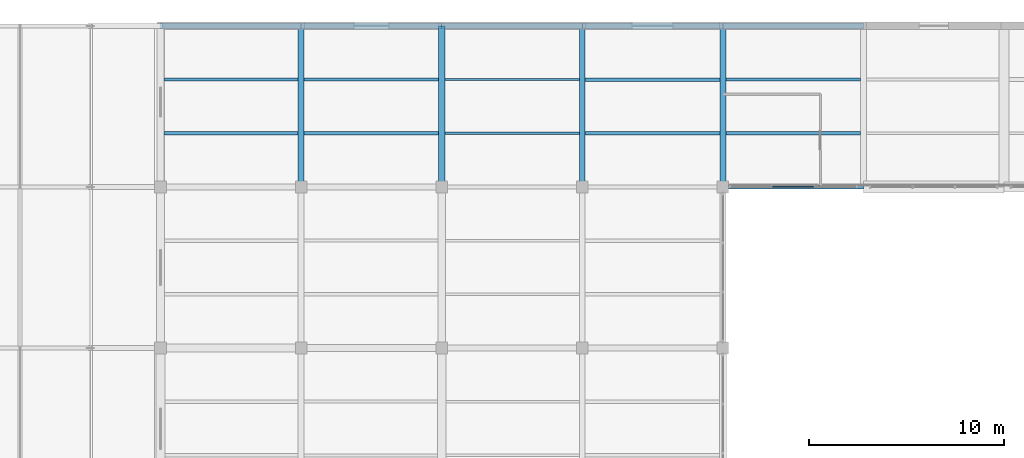
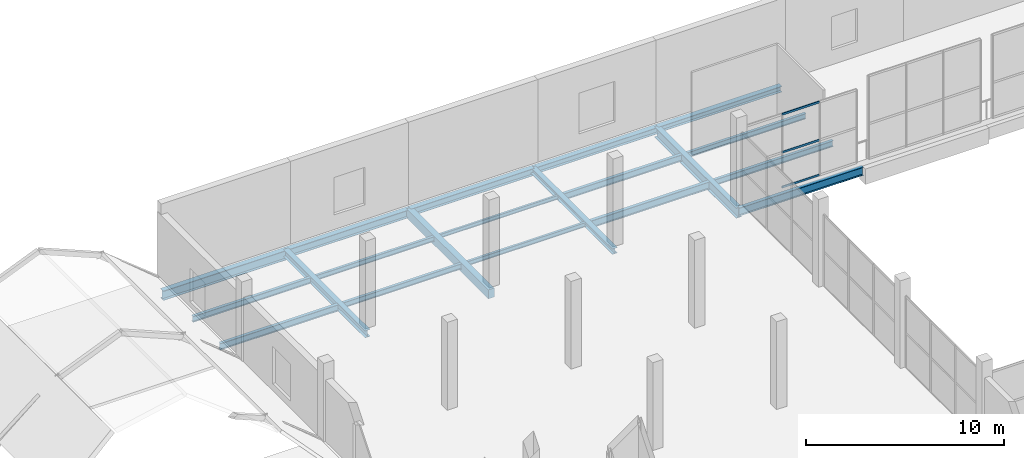
# One storey, part 57 of 141: 20 beams, 3 members, 1 element without a shape of its own.
"""IFC4 building model written with IfcOpenShell, lengths in metres."""

from ifc_helpers import new_model, si_unit, direction, frame, origin, origin_2d, place, context, subcontext, project, spatial, rectangle, hollow_rectangle, i_section, extrude, material, layer, layer_set, material_profile, profile_set, type_object, element, aggregate, save


model = new_model("IFC4")

# Units and contexts
model_context = context("Model", 3, precision=1e-05, world=origin(), true_north=direction((0.0, 1.0)))
body_context = subcontext(model_context, "Body", "Model", "MODEL_VIEW")
ifc_project = project(units=[si_unit("LENGTHUNIT", "METRE"), si_unit("AREAUNIT", "SQUARE_METRE"), si_unit("VOLUMEUNIT", "CUBIC_METRE"), si_unit("PLANEANGLEUNIT", "RADIAN"), si_unit("MASSUNIT", "GRAM", prefix="KILO")], contexts=[model_context])

# Site, building, storey
site_placement = place(None, origin())
site = spatial("IfcSite", under=ifc_project, at=site_placement, CompositionType="ELEMENT")
building_placement = place(site_placement, origin())
building = spatial("IfcBuilding", under=site, at=building_placement, Name="Sundgate Opera House", CompositionType="ELEMENT")
storey_placement = place(building_placement, frame((0.0, 0.0, 11.39990234375)))
storey = spatial("IfcBuildingStorey", under=building, at=storey_placement, Name="L02", CompositionType="ELEMENT", Elevation=11.39990234375)

# Beams
ifc_material_1 = material(Name="Steel S355J2", Category="steel")
ifc_material_profile_1 = material_profile(ifc_material_1, i_section(OverallWidth=0.300048828125, OverallDepth=0.35009765625, WebThickness=0.010009765625, FlangeThickness=0.017578125, at=origin_2d()), Name="HEA 360")
ifc_profile_set_1 = profile_set([ifc_material_profile_1], Name="Steel S355J2")
beam_type_1 = type_object("IfcBeamType", Name="BM-GR-HEA360", PredefinedType="BEAM", material=ifc_profile_set_1)
beam_1_placement = place(storey_placement, frame((117.0, 111.75, -0.52490234375), z_axis=(0.0, 1.0, 0.0), x_axis=(-1.0, 0.0, 0.0)))
element("IfcBeam", 1, at=beam_1_placement, inside=storey, type_object=beam_type_1, Name="L02 Primary N-S Girder B1891", PredefinedType="BEAM", context=body_context, shape_type="SweptSolid", body=[
    extrude(i_section(OverallWidth=0.300048828125, OverallDepth=0.35009765625, WebThickness=0.010009765625, FlangeThickness=0.017578125, at=origin_2d()), origin(), (0.0, 0.0, 1.0), 8.25),
])
beam_2_placement = place(storey_placement, frame((124.199951171875, 120.0, -0.52490234375), z_axis=(1.0, 0.0, 0.0), x_axis=(0.0, 1.0, 0.0)))
element("IfcBeam", 2, at=beam_2_placement, inside=storey, type_object=beam_type_1, Name="L02 Primary E-W Girder B2125", PredefinedType="BEAM", context=body_context, shape_type="SweptSolid", body=[
    extrude(i_section(OverallWidth=0.300048828125, OverallDepth=0.35009765625, WebThickness=0.010009765625, FlangeThickness=0.017578125, at=origin_2d()), origin(), (0.0, 0.0, 1.0), 7.199951171875),
])
ifc_material_2 = material(Name="Steel S355J2", Category="steel")
ifc_material_profile_2 = material_profile(ifc_material_2, i_section(OverallWidth=0.300048828125, OverallDepth=0.389892578125, WebThickness=0.010986328125, FlangeThickness=0.01904296875, at=origin_2d()), Name="HEA 400")
ifc_profile_set_2 = profile_set([ifc_material_profile_2], Name="Steel S355J2")
beam_type_2 = type_object("IfcBeamType", Name="BM-GR-HEA400", PredefinedType="BEAM", material=ifc_profile_set_2)
beam_3_placement = place(storey_placement, frame((117.0, 120.0, -0.544921875), z_axis=(1.0, 0.0, 0.0), x_axis=(0.0, 1.0, 0.0)))
element("IfcBeam", 3, at=beam_3_placement, inside=storey, type_object=beam_type_2, Name="L02 Primary E-W Girder B2124", PredefinedType="BEAM", context=body_context, shape_type="SweptSolid", body=[
    extrude(i_section(OverallWidth=0.300048828125, OverallDepth=0.389892578125, WebThickness=0.010986328125, FlangeThickness=0.01904296875, at=origin_2d()), origin(), (0.0, 0.0, 1.0), 7.199951171875),
])
ifc_material_3 = material(Name="Steel S355J2", Category="steel")
ifc_material_profile_3 = material_profile(ifc_material_3, i_section(OverallWidth=0.300048828125, OverallDepth=0.43994140625, WebThickness=0.011474609375, FlangeThickness=0.02099609375, at=origin_2d()), Name="HEA 450")
ifc_profile_set_3 = profile_set([ifc_material_profile_3], Name="Steel S355J2")
beam_type_3 = type_object("IfcBeamType", Name="BM-GR-HEA450", PredefinedType="BEAM", material=ifc_profile_set_3)
beam_4_placement = place(storey_placement, frame((102.60009765625, 111.75, -0.56982421875), z_axis=(0.0, 1.0, 0.0), x_axis=(-1.0, 0.0, 0.0)))
element("IfcBeam", 4, at=beam_4_placement, inside=storey, type_object=beam_type_3, Name="L02 Primary N-S Girder B1867", PredefinedType="BEAM", context=body_context, shape_type="SweptSolid", body=[
    extrude(i_section(OverallWidth=0.300048828125, OverallDepth=0.43994140625, WebThickness=0.011474609375, FlangeThickness=0.02099609375, at=origin_2d()), origin(), (0.0, 0.0, 1.0), 8.25),
])
beam_5_placement = place(storey_placement, frame((109.800048828125, 120.0, -0.56982421875), z_axis=(1.0, 0.0, 0.0), x_axis=(0.0, 1.0, 0.0)))
element("IfcBeam", 5, at=beam_5_placement, inside=storey, type_object=beam_type_3, Name="L02 Primary E-W Girder B2123", PredefinedType="BEAM", context=body_context, shape_type="SweptSolid", body=[
    extrude(i_section(OverallWidth=0.300048828125, OverallDepth=0.43994140625, WebThickness=0.011474609375, FlangeThickness=0.02099609375, at=origin_2d()), origin(), (0.0, 0.0, 1.0), 7.199951171875),
])
ifc_material_4 = material(Name="Steel S355J2", Category="steel")
ifc_material_profile_4 = material_profile(ifc_material_4, i_section(OverallWidth=0.300048828125, OverallDepth=0.489990234375, WebThickness=0.011962890625, FlangeThickness=0.02294921875, at=origin_2d()), Name="HEA 500")
ifc_profile_set_4 = profile_set([ifc_material_profile_4], Name="Steel S355J2")
beam_type_4 = type_object("IfcBeamType", Name="BM-GR-HEA500", PredefinedType="BEAM", material=ifc_profile_set_4)
beam_6_placement = place(storey_placement, frame((102.60009765625, 120.0, -0.594970703125), z_axis=(1.0, 0.0, 0.0), x_axis=(0.0, 1.0, 0.0)))
element("IfcBeam", 6, at=beam_6_placement, inside=storey, type_object=beam_type_4, Name="L02 Primary E-W Girder B2122", PredefinedType="BEAM", context=body_context, shape_type="SweptSolid", body=[
    extrude(i_section(OverallWidth=0.300048828125, OverallDepth=0.489990234375, WebThickness=0.011962890625, FlangeThickness=0.02294921875, at=origin_2d()), origin(), (0.0, 0.0, 1.0), 7.199951171875),
])
ifc_material_5 = material(Name="Steel S355J2", Category="steel")
ifc_material_profile_5 = material_profile(ifc_material_5, i_section(OverallWidth=0.300048828125, OverallDepth=0.590087890625, WebThickness=0.012939453125, FlangeThickness=0.02490234375, at=origin_2d()), Name="HEA 600")
ifc_profile_set_5 = profile_set([ifc_material_profile_5], Name="Steel S355J2")
beam_type_5 = type_object("IfcBeamType", Name="BM-GR-HEA600", PredefinedType="BEAM", material=ifc_profile_set_5)
beam_7_placement = place(storey_placement, frame((95.39990234375, 120.0, -0.64501953125), z_axis=(1.0, 0.0, 0.0), x_axis=(0.0, 1.0, 0.0)))
element("IfcBeam", 7, at=beam_7_placement, inside=storey, type_object=beam_type_5, Name="L02 Primary E-W Girder B2121", PredefinedType="BEAM", context=body_context, shape_type="SweptSolid", body=[
    extrude(i_section(OverallWidth=0.300048828125, OverallDepth=0.590087890625, WebThickness=0.012939453125, FlangeThickness=0.02490234375, at=origin_2d()), origin(), (0.0, 0.0, 1.0), 7.2001953125),
])
ifc_material_6 = material(Name="Steel S355J2", Category="steel")
ifc_material_profile_6 = material_profile(ifc_material_6, i_section(OverallWidth=0.300048828125, OverallDepth=0.64990234375, WebThickness=0.01611328125, FlangeThickness=0.031005859375, at=origin_2d()), Name="HEB 650")
ifc_profile_set_6 = profile_set([ifc_material_profile_6], Name="Steel S355J2")
beam_type_6 = type_object("IfcBeamType", Name="BM-GR-HEB650", PredefinedType="BEAM", material=ifc_profile_set_6)
beam_8_placement = place(storey_placement, frame((124.199951171875, 111.75, -0.6748046875), z_axis=(0.0, 1.0, 0.0), x_axis=(-1.0, 0.0, 0.0)))
element("IfcBeam", 8, at=beam_8_placement, inside=storey, type_object=beam_type_6, Name="L02 Primary N-S Girder B1902", PredefinedType="BEAM", context=body_context, shape_type="SweptSolid", body=[
    extrude(i_section(OverallWidth=0.300048828125, OverallDepth=0.64990234375, WebThickness=0.01611328125, FlangeThickness=0.031005859375, at=origin_2d()), origin(), (0.0, 0.0, 1.0), 8.25),
])
ifc_material_7 = material(Name="Steel S355J2", Category="steel")
ifc_material_profile_7 = material_profile(ifc_material_7, i_section(OverallWidth=0.199951171875, OverallDepth=0.5, WebThickness=0.01025390625, FlangeThickness=0.01611328125, at=origin_2d()), Name="IPE 500")
ifc_profile_set_7 = profile_set([ifc_material_profile_7], Name="Steel S355J2")
beam_type_7 = type_object("IfcBeamType", Name="BM-GR-IPE500", PredefinedType="BEAM", material=ifc_profile_set_7)
beam_9_placement = place(storey_placement, frame((124.199951171875, 111.75, -0.599853515625), z_axis=(1.0, 0.0, 0.0), x_axis=(0.0, 1.0, 0.0)))
element("IfcBeam", 9, at=beam_9_placement, inside=storey, type_object=beam_type_7, Name="L02 Primary E-W Girder B2107", PredefinedType="BEAM", context=body_context, shape_type="SweptSolid", body=[
    extrude(i_section(OverallWidth=0.199951171875, OverallDepth=0.5, WebThickness=0.01025390625, FlangeThickness=0.01611328125, at=origin_2d()), origin(), (0.0, 0.0, 1.0), 7.199951171875),
])
ifc_material_8 = material(Name="Steel S355J2", Category="steel")
ifc_material_profile_8 = material_profile(ifc_material_8, i_section(OverallWidth=0.1201171875, OverallDepth=0.239990234375, WebThickness=0.006103515625, FlangeThickness=0.009765625, at=origin_2d()), Name="IPE 240")
ifc_profile_set_8 = profile_set([ifc_material_profile_8], Name="Steel S355J2")
beam_type_8 = type_object("IfcBeamType", Name="BM-JS-IPE240", PredefinedType="JOIST", material=ifc_profile_set_8)
beam_10_placement = place(storey_placement, frame((109.97509765625, 117.25, -0.469970703125), z_axis=(1.0, 0.0, 0.0), x_axis=(0.0, 1.0, 0.0)))
element("IfcBeam", 10, at=beam_10_placement, inside=storey, type_object=beam_type_8, Name="L02 Secondary Floor Joist B2436", PredefinedType="JOIST", context=body_context, shape_type="SweptSolid", body=[
    extrude(i_section(OverallWidth=0.1201171875, OverallDepth=0.239990234375, WebThickness=0.006103515625, FlangeThickness=0.009765625, at=origin_2d()), origin(), (0.0, 0.0, 1.0), 6.875),
])
ifc_material_9 = material(Name="Steel S355J2", Category="steel")
ifc_material_profile_9 = material_profile(ifc_material_9, i_section(OverallWidth=0.135009765625, OverallDepth=0.27001953125, WebThickness=0.006591796875, FlangeThickness=0.01025390625, at=origin_2d()), Name="IPE 270")
ifc_profile_set_9 = profile_set([ifc_material_profile_9], Name="Steel S355J2")
beam_type_9 = type_object("IfcBeamType", Name="BM-JS-IPE270", PredefinedType="JOIST", material=ifc_profile_set_9)
beam_11_placement = place(storey_placement, frame((109.97509765625, 114.5, -0.48486328125), z_axis=(1.0, 0.0, 0.0), x_axis=(0.0, 1.0, 0.0)))
element("IfcBeam", 11, at=beam_11_placement, inside=storey, type_object=beam_type_9, Name="L02 Secondary Floor Joist B2435", PredefinedType="JOIST", context=body_context, shape_type="SweptSolid", body=[
    extrude(i_section(OverallWidth=0.135009765625, OverallDepth=0.27001953125, WebThickness=0.006591796875, FlangeThickness=0.01025390625, at=origin_2d()), origin(), (0.0, 0.0, 1.0), 6.875),
])
ifc_material_10 = material(Name="Steel S355J2", Category="steel")
ifc_material_profile_10 = material_profile(ifc_material_10, i_section(OverallWidth=0.14990234375, OverallDepth=0.300048828125, WebThickness=0.007080078125, FlangeThickness=0.0107421875, at=origin_2d()), Name="IPE 300")
ifc_profile_set_10 = profile_set([ifc_material_profile_10], Name="Steel S355J2")
beam_type_10 = type_object("IfcBeamType", Name="BM-JS-IPE300", PredefinedType="JOIST", material=ifc_profile_set_10)
beam_12_placement = place(storey_placement, frame((102.75, 117.25, -0.5), z_axis=(1.0, 0.0, 0.0), x_axis=(0.0, 1.0, 0.0)))
element("IfcBeam", 12, at=beam_12_placement, inside=storey, type_object=beam_type_10, Name="L02 Secondary Floor Joist B2434", PredefinedType="JOIST", context=body_context, shape_type="SweptSolid", body=[
    extrude(i_section(OverallWidth=0.14990234375, OverallDepth=0.300048828125, WebThickness=0.007080078125, FlangeThickness=0.0107421875, at=origin_2d()), origin(), (0.0, 0.0, 1.0), 6.875),
])
ifc_material_11 = material(Name="Steel S355J2", Category="steel")
ifc_material_profile_11 = material_profile(ifc_material_11, i_section(OverallWidth=0.159912109375, OverallDepth=0.330078125, WebThickness=0.007568359375, FlangeThickness=0.011474609375, at=origin_2d()), Name="IPE 330")
ifc_profile_set_11 = profile_set([ifc_material_profile_11], Name="Steel S355J2")
beam_type_11 = type_object("IfcBeamType", Name="BM-JS-IPE330", PredefinedType="JOIST", material=ifc_profile_set_11)
beam_13_placement = place(storey_placement, frame((102.75, 114.5, -0.514892578125), z_axis=(1.0, 0.0, 0.0), x_axis=(0.0, 1.0, 0.0)))
element("IfcBeam", 13, at=beam_13_placement, inside=storey, type_object=beam_type_11, Name="L02 Secondary Floor Joist B2433", PredefinedType="JOIST", context=body_context, shape_type="SweptSolid", body=[
    extrude(i_section(OverallWidth=0.159912109375, OverallDepth=0.330078125, WebThickness=0.007568359375, FlangeThickness=0.011474609375, at=origin_2d()), origin(), (0.0, 0.0, 1.0), 6.875),
])
beam_14_placement = place(storey_placement, frame((124.35009765625, 117.25, -0.514892578125), z_axis=(1.0, 0.0, 0.0), x_axis=(0.0, 1.0, 0.0)))
element("IfcBeam", 14, at=beam_14_placement, inside=storey, type_object=beam_type_11, Name="L02 Secondary Floor Joist B2440", PredefinedType="JOIST", context=body_context, shape_type="SweptSolid", body=[
    extrude(i_section(OverallWidth=0.159912109375, OverallDepth=0.330078125, WebThickness=0.007568359375, FlangeThickness=0.011474609375, at=origin_2d()), origin(), (0.0, 0.0, 1.0), 6.89990234375),
])
ifc_material_12 = material(Name="Steel S355J2", Category="steel")
ifc_material_profile_12 = material_profile(ifc_material_12, i_section(OverallWidth=0.169921875, OverallDepth=0.360107421875, WebThickness=0.008056640625, FlangeThickness=0.0126953125, at=origin_2d()), Name="IPE 360")
ifc_profile_set_12 = profile_set([ifc_material_profile_12], Name="Steel S355J2")
beam_type_12 = type_object("IfcBeamType", Name="BM-JS-IPE360", PredefinedType="JOIST", material=ifc_profile_set_12)
beam_15_placement = place(storey_placement, frame((95.574951171875, 117.25, -0.52978515625), z_axis=(1.0, 0.0, 0.0), x_axis=(0.0, 1.0, 0.0)))
element("IfcBeam", 15, at=beam_15_placement, inside=storey, type_object=beam_type_12, Name="L02 Secondary Floor Joist B2432", PredefinedType="JOIST", context=body_context, shape_type="SweptSolid", body=[
    extrude(i_section(OverallWidth=0.169921875, OverallDepth=0.360107421875, WebThickness=0.008056640625, FlangeThickness=0.0126953125, at=origin_2d()), origin(), (0.0, 0.0, 1.0), 6.875),
])
beam_16_placement = place(storey_placement, frame((124.35009765625, 114.5, -0.52978515625), z_axis=(1.0, 0.0, 0.0), x_axis=(0.0, 1.0, 0.0)))
element("IfcBeam", 16, at=beam_16_placement, inside=storey, type_object=beam_type_12, Name="L02 Secondary Floor Joist B2439", PredefinedType="JOIST", context=body_context, shape_type="SweptSolid", body=[
    extrude(i_section(OverallWidth=0.169921875, OverallDepth=0.360107421875, WebThickness=0.008056640625, FlangeThickness=0.0126953125, at=origin_2d()), origin(), (0.0, 0.0, 1.0), 6.89990234375),
])
ifc_material_13 = material(Name="Steel S355J2", Category="steel")
ifc_material_profile_13 = material_profile(ifc_material_13, i_section(OverallWidth=0.179931640625, OverallDepth=0.39990234375, WebThickness=0.008544921875, FlangeThickness=0.013427734375, at=origin_2d()), Name="IPE 400")
ifc_profile_set_13 = profile_set([ifc_material_profile_13], Name="Steel S355J2")
beam_type_13 = type_object("IfcBeamType", Name="BM-JS-IPE400", PredefinedType="JOIST", material=ifc_profile_set_13)
beam_17_placement = place(storey_placement, frame((95.574951171875, 114.5, -0.5498046875), z_axis=(1.0, 0.0, 0.0), x_axis=(0.0, 1.0, 0.0)))
element("IfcBeam", 17, at=beam_17_placement, inside=storey, type_object=beam_type_13, Name="L02 Secondary Floor Joist B2431", PredefinedType="JOIST", context=body_context, shape_type="SweptSolid", body=[
    extrude(i_section(OverallWidth=0.179931640625, OverallDepth=0.39990234375, WebThickness=0.008544921875, FlangeThickness=0.013427734375, at=origin_2d()), origin(), (0.0, 0.0, 1.0), 6.875),
])
beam_18_placement = place(storey_placement, frame((117.14990234375, 117.25, -0.5498046875), z_axis=(1.0, 0.0, 0.0), x_axis=(0.0, 1.0, 0.0)))
element("IfcBeam", 18, at=beam_18_placement, inside=storey, type_object=beam_type_13, Name="L02 Secondary Floor Joist B2438", PredefinedType="JOIST", context=body_context, shape_type="SweptSolid", body=[
    extrude(i_section(OverallWidth=0.179931640625, OverallDepth=0.39990234375, WebThickness=0.008544921875, FlangeThickness=0.013427734375, at=origin_2d()), origin(), (0.0, 0.0, 1.0), 6.900146484375),
])
ifc_material_14 = material(Name="Steel S355J2", Category="steel")
ifc_material_profile_14 = material_profile(ifc_material_14, i_section(OverallWidth=0.18994140625, OverallDepth=0.449951171875, WebThickness=0.009521484375, FlangeThickness=0.0146484375, at=origin_2d()), Name="IPE 450")
ifc_profile_set_14 = profile_set([ifc_material_profile_14], Name="Steel S355J2")
beam_type_14 = type_object("IfcBeamType", Name="BM-JS-IPE450", PredefinedType="JOIST", material=ifc_profile_set_14)
beam_19_placement = place(storey_placement, frame((117.14990234375, 114.5, -0.574951171875), z_axis=(1.0, 0.0, 0.0), x_axis=(0.0, 1.0, 0.0)))
element("IfcBeam", 19, at=beam_19_placement, inside=storey, type_object=beam_type_14, Name="L02 Secondary Floor Joist B2437", PredefinedType="JOIST", context=body_context, shape_type="SweptSolid", body=[
    extrude(i_section(OverallWidth=0.18994140625, OverallDepth=0.449951171875, WebThickness=0.009521484375, FlangeThickness=0.0146484375, at=origin_2d()), origin(), (0.0, 0.0, 1.0), 6.900146484375),
])
ifc_material_15 = material(Name="Concrete C35/45", Category="concrete")
ifc_material_profile_15 = material_profile(ifc_material_15, rectangle(XDim=0.35009765625, YDim=0.550048828125, at=origin_2d()), Name="RC 350x550")
ifc_profile_set_15 = profile_set([ifc_material_profile_15], Name="Concrete C35/45")
beam_type_15 = type_object("IfcBeamType", Name="BM-RC-350x550", PredefinedType="BEAM", material=ifc_profile_set_15)
beam_20_placement = place(storey_placement, frame((109.800048828125, 111.75, -0.625), z_axis=(0.0, 1.0, 0.0), x_axis=(-1.0, 0.0, 0.0)))
element("IfcBeam", 20, at=beam_20_placement, inside=storey, type_object=beam_type_15, Name="L02 Primary N-S Girder B1878", PredefinedType="BEAM", context=body_context, shape_type="SweptSolid", body=[
    extrude(rectangle(XDim=0.35009765625, YDim=0.550048828125, at=origin_2d()), origin(), (0.0, 0.0, 1.0), 8.25),
])

# Curtain wall, members
ifc_material_16 = material(Name="Anodized aluminium and low-iron glass", Category="aluminium")
ifc_layer = layer(ifc_material_16, 0.159912109375)
ifc_layer_set = layer_set([ifc_layer], Name="Anodized aluminium and low-iron glass")
curtain_wall_type = type_object("IfcCurtainWallType", Name="CW-STUDIO-DARK", PredefinedType="NOTDEFINED", material=ifc_layer_set)
curtain_wall_placement = place(storey_placement, origin())
curtain_wall = element("IfcCurtainWall", 21, at=curtain_wall_placement, inside=storey, type_object=curtain_wall_type, Name="L02 Curtain Wall CW109", PredefinedType="NOTDEFINED")
ifc_material_17 = material(Name="Anodized aluminium EN AW-6063", Category="aluminium")
ifc_material_profile_16 = material_profile(ifc_material_17, hollow_rectangle(XDim=0.054931640625, YDim=0.1201171875, WallThickness=0.00390625, at=origin_2d()), Name="CWT 120x55x4")
ifc_profile_set_16 = profile_set([ifc_material_profile_16], Name="Anodized aluminium EN AW-6063")
member_type = type_object("IfcMemberType", Name="CWT-ALU-120x55", PredefinedType="USERDEFINED", material=ifc_profile_set_16)
member_1_placement = place(storey_placement, frame((128.88330078125, 111.75, 0.0), z_axis=(-1.0, 0.0, 0.0), x_axis=(0.0, -1.0, 0.0)))
member_1 = element("IfcMember", 22, at=member_1_placement, type_object=member_type, Name="CW109 Transom 4", ObjectType="TRANSOM", PredefinedType="USERDEFINED", context=body_context, shape_type="SweptSolid", body=[
    extrude(hollow_rectangle(XDim=0.054931640625, YDim=0.1201171875, WallThickness=0.00390625, at=origin_2d()), origin(), (0.0, 0.0, 1.0), 2.166748046875),
])
member_2_placement = place(storey_placement, frame((128.88330078125, 111.75, 2.150146484375), z_axis=(-1.0, 0.0, 0.0), x_axis=(0.0, -1.0, 0.0)))
member_2 = element("IfcMember", 23, at=member_2_placement, type_object=member_type, Name="CW109 Transom 5", ObjectType="TRANSOM", PredefinedType="USERDEFINED", context=body_context, shape_type="SweptSolid", body=[
    extrude(hollow_rectangle(XDim=0.054931640625, YDim=0.1201171875, WallThickness=0.00390625, at=origin_2d()), origin(), (0.0, 0.0, 1.0), 2.166748046875),
])
member_3_placement = place(storey_placement, frame((128.88330078125, 111.75, 4.485107421875), z_axis=(-1.0, 0.0, 0.0), x_axis=(0.0, -1.0, 0.0)))
member_3 = element("IfcMember", 24, at=member_3_placement, type_object=member_type, Name="CW109 Transom 6", ObjectType="TRANSOM", PredefinedType="USERDEFINED", context=body_context, shape_type="SweptSolid", body=[
    extrude(hollow_rectangle(XDim=0.054931640625, YDim=0.1201171875, WallThickness=0.00390625, at=origin_2d()), origin(), (0.0, 0.0, 1.0), 2.166748046875),
])
aggregate(curtain_wall, [member_1, member_2, member_3])

save(model, "model.ifc")
